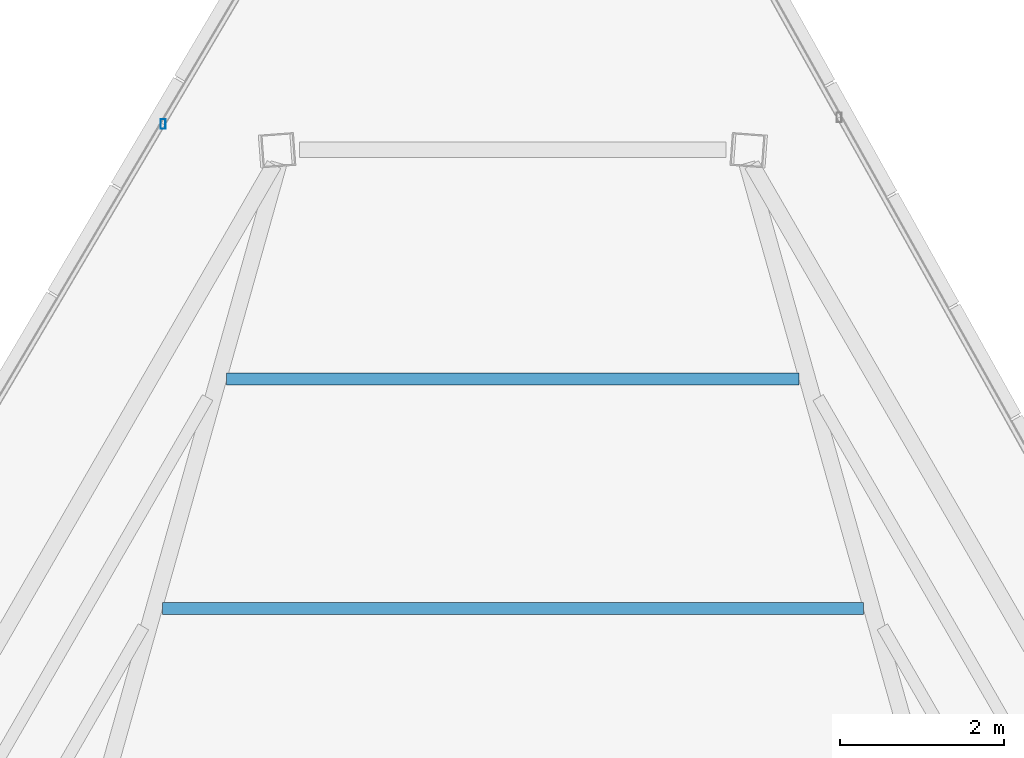
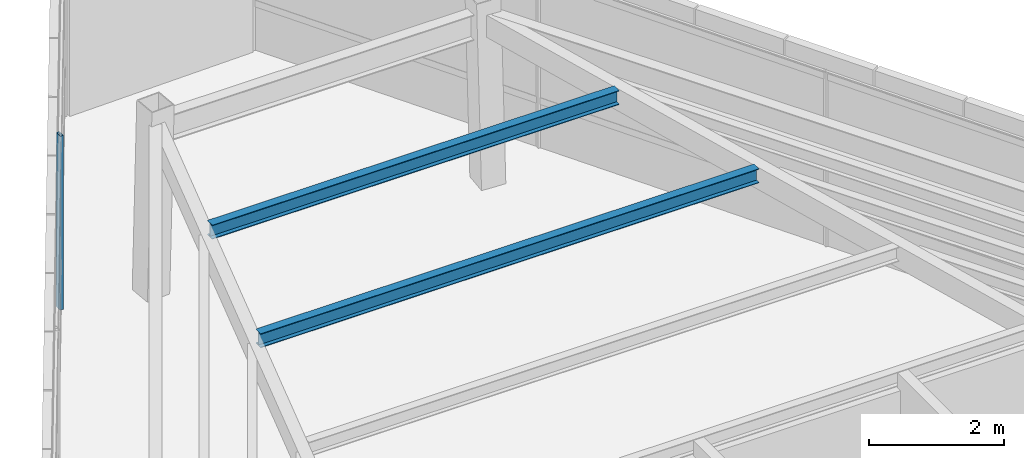
# One storey, part 34 of 44: 2 beams, 1 member, 1 element without a shape of its own.
"""IFC4 building model written with IfcOpenShell, lengths in metres."""

from ifc_helpers import new_model, si_unit, direction, frame, origin, origin_2d, place, context, subcontext, project, spatial, hollow_rectangle, i_section, extrude, source, transform, mapped, material, material_profile, profile_set, type_object, type_shapes, element, aggregate, save


model = new_model("IFC4")

# Units and contexts
model_context = context("Model", 3, precision=1e-05, world=origin(), true_north=direction((0.0, 1.0)))
body_context = subcontext(model_context, "Body", "Model", "MODEL_VIEW")
ifc_project = project(units=[si_unit("LENGTHUNIT", "METRE"), si_unit("AREAUNIT", "SQUARE_METRE"), si_unit("VOLUMEUNIT", "CUBIC_METRE"), si_unit("PLANEANGLEUNIT", "RADIAN"), si_unit("MASSUNIT", "GRAM", prefix="KILO")], contexts=[model_context])

# Site, building, storey
site_placement = place(None, origin())
site = spatial("IfcSite", under=ifc_project, at=site_placement, CompositionType="ELEMENT")
building_placement = place(site_placement, origin())
building = spatial("IfcBuilding", under=site, at=building_placement, Name="Caelisora Broadcast Tower", CompositionType="ELEMENT")
storey_placement = place(building_placement, frame((0.0, 0.0, 296.60009765625)))
storey = spatial("IfcBuildingStorey", under=building, at=storey_placement, Name="L78", CompositionType="ELEMENT", Elevation=296.60009765625)

# Beams
ifc_material_1 = material(Name="Steel Grade 350 (AS/NZS 3679.1)", Category="steel")
ifc_material_profile_1 = material_profile(ifc_material_1, i_section(OverallWidth=0.14599609375, OverallDepth=0.256103515625, WebThickness=0.00634765625, FlangeThickness=0.010986328125, at=origin_2d()), Name="Steel Grade 350 (AS/NZS 3679.1)")
ifc_profile_set_1 = profile_set([ifc_material_profile_1], Name="Steel Grade 350 (AS/NZS 3679.1)")
beam_type = type_object("IfcBeamType", Name="SB04", PredefinedType="JOIST", material=ifc_profile_set_1)
shared_shape_1 = source(origin(), body_context, "Body", "SweptSolid", [
    extrude(i_section(OverallWidth=0.14599609375, OverallDepth=0.256103515625, WebThickness=0.00634765625, FlangeThickness=0.010986328125, at=origin_2d()), origin(), (0.0, 0.0, 1.0), 8.53759765625),
])
beam_1_placement = place(storey_placement, frame((42.268798828125, 41.16748046875, 3.021728515625), z_axis=(-1.0, 0.0, 0.0), x_axis=(0.0, -1.0, 0.0)))
element("IfcBeam", 1, at=beam_1_placement, inside=storey, type_object=beam_type, Name="L78 beam SB04", PredefinedType="JOIST", context=body_context, shape_type="MappedRepresentation", body=[
    mapped(shared_shape_1, transform((0.0, 0.0, 0.0), scale=1.0)),
])
shared_shape_2 = source(origin(), body_context, "Body", "SweptSolid", [
    extrude(i_section(OverallWidth=0.14599609375, OverallDepth=0.256103515625, WebThickness=0.00634765625, FlangeThickness=0.010986328125, at=origin_2d()), origin(), (0.0, 0.0, 1.0), 6.97216796875),
])
type_shapes(beam_type, [shared_shape_1, shared_shape_2])
beam_2_placement = place(storey_placement, frame((41.486083984375, 43.95947265625, 3.021728515625), z_axis=(-1.0, 0.0, 0.0), x_axis=(0.0, -1.0, 0.0)))
element("IfcBeam", 2, at=beam_2_placement, inside=storey, type_object=beam_type, Name="L78 beam SB04", PredefinedType="JOIST", context=body_context, shape_type="MappedRepresentation", body=[
    mapped(shared_shape_2, transform((0.0, 0.0, 0.0), scale=1.0)),
])

# Curtain wall, member
ifc_material_2 = material(Name="Unitised Aluminium Insulated Shadow-Box Spandrel Curtain Wall", Category="aluminium")
curtain_wall_type = type_object("IfcCurtainWallType", Name="CW-SP3", PredefinedType="NOTDEFINED", material=ifc_material_2)
curtain_wall_placement = place(storey_placement, origin())
curtain_wall = element("IfcCurtainWall", 3, at=curtain_wall_placement, inside=storey, type_object=curtain_wall_type, Name="L78 curtain wall CW-SP3", PredefinedType="NOTDEFINED")
ifc_material_3 = material(Name="Aluminium 6063-T6 Anodised Terracotta Bronze", Category="aluminium")
ifc_material_profile_2 = material_profile(ifc_material_3, hollow_rectangle(XDim=0.06005859375, YDim=0.1201171875, WallThickness=0.0029296875, at=origin_2d()), Name="Aluminium 6063-T6 Anodised Terracotta Bronze")
ifc_profile_set_2 = profile_set([ifc_material_profile_2], Name="Aluminium 6063-T6 Anodised Terracotta Bronze")
member_type = type_object("IfcMemberType", Name="CWM-04", PredefinedType="MULLION", material=ifc_profile_set_2)
shared_shape_3 = source(origin(), body_context, "Body", "SweptSolid", [
    extrude(hollow_rectangle(XDim=0.06005859375, YDim=0.1201171875, WallThickness=0.0029296875, at=origin_2d()), origin(), (0.0, 0.0, 1.0), 3.14990234375),
])
type_shapes(member_type, [shared_shape_3])
member_placement = place(storey_placement, frame((33.739501953125, 47.06591796875, 0.0), z_axis=(0.0, 0.0, 1.0), x_axis=(1.0, 0.0, 0.0)))
member = element("IfcMember", 4, at=member_placement, type_object=member_type, Name="L78-CW-B11 mullion #2", PredefinedType="MULLION", context=body_context, shape_type="MappedRepresentation", body=[
    mapped(shared_shape_3, transform((0.0, 0.0, 0.0), scale=1.0)),
])
aggregate(curtain_wall, [member])

save(model, "model.ifc")
